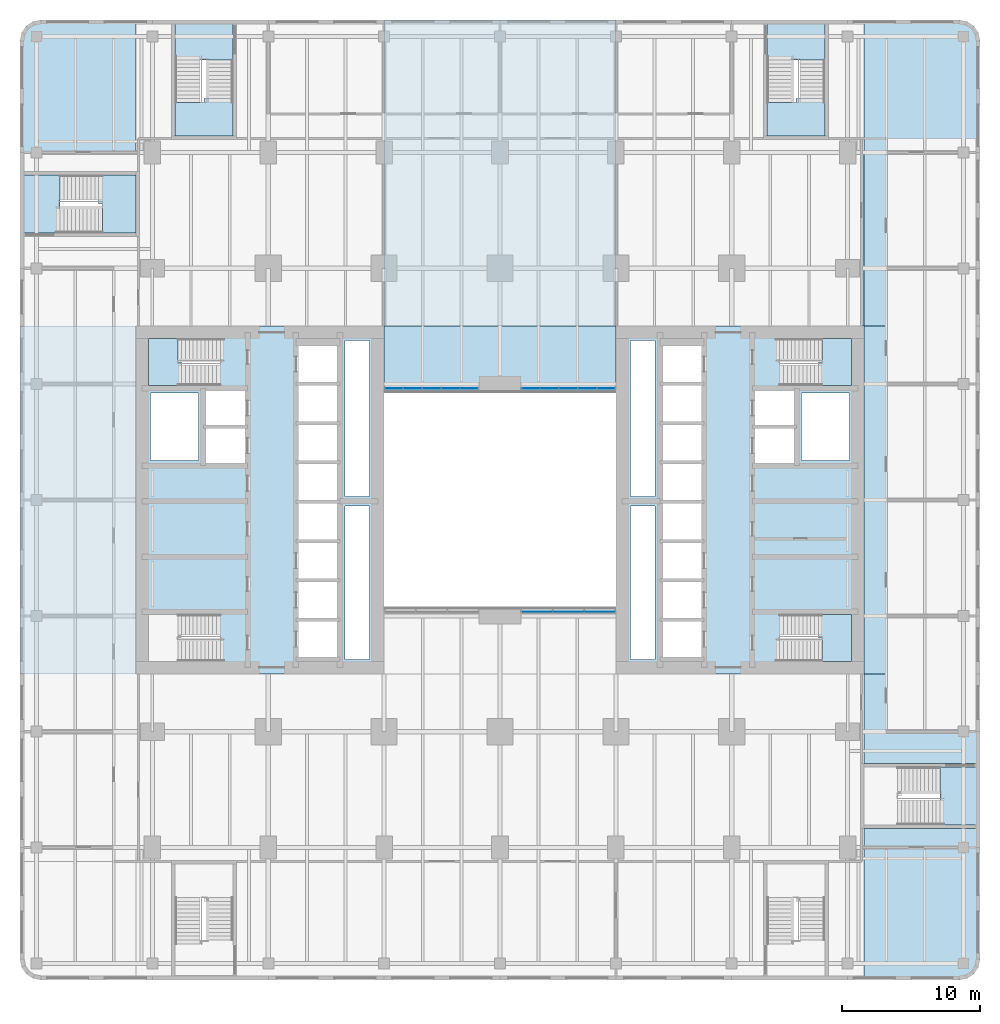
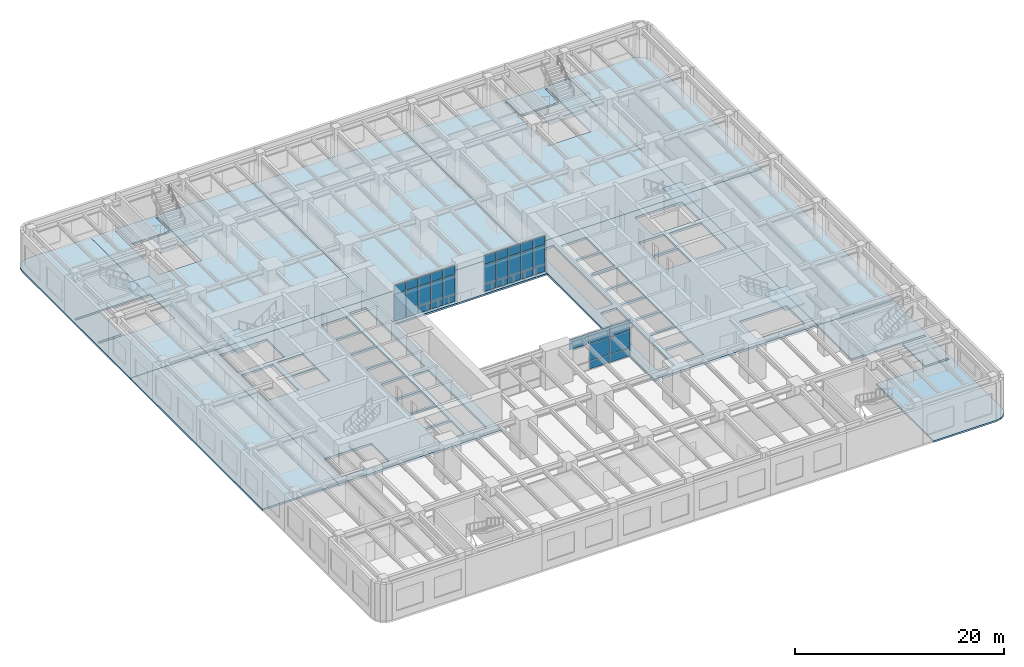
# One storey, part 8 of 26: 27 plates, 17 slabs, 9 elements without a shape of their own.
"""IFC4 building model written with IfcOpenShell, lengths in metres."""

from ifc_helpers import new_model, si_unit, direction, frame, origin, origin_2d, place, context, subcontext, project, spatial, polyline, rectangle, outline, extrude, material, layer, layer_set, type_object, element, aggregate, save


model = new_model("IFC4")

# Units and contexts
model_context = context("Model", 3, precision=1e-05, world=origin(), true_north=direction((0.0, 1.0)))
body_context = subcontext(model_context, "Body", "Model", "MODEL_VIEW")
ifc_project = project(units=[si_unit("LENGTHUNIT", "METRE"), si_unit("AREAUNIT", "SQUARE_METRE"), si_unit("VOLUMEUNIT", "CUBIC_METRE"), si_unit("PLANEANGLEUNIT", "RADIAN"), si_unit("MASSUNIT", "GRAM", prefix="KILO")], contexts=[model_context])

# Site, building, storey
site_placement = place(None, origin())
site = spatial("IfcSite", under=ifc_project, at=site_placement, CompositionType="ELEMENT")
building_placement = place(site_placement, origin())
building = spatial("IfcBuilding", under=site, at=building_placement, Name="Claustro Exchange Tower", CompositionType="ELEMENT")
storey_placement = place(building_placement, frame((0.0, 0.0, 9.89990234375)))
storey = spatial("IfcBuildingStorey", under=building, at=storey_placement, Name="L02", CompositionType="ELEMENT", Elevation=9.89990234375)

# Curtain wall, plates
ifc_material_1 = material(Name="Aluminium frame, clear double glazing", Category="aluminium")
curtain_wall_type_1 = type_object("IfcCurtainWallType", Name="CW3 light well curtain wall", PredefinedType="USERDEFINED", material=ifc_material_1)
curtain_wall_1_placement = place(storey_placement, origin())
curtain_wall_1 = element("IfcCurtainWall", 1, at=curtain_wall_1_placement, inside=storey, type_object=curtain_wall_type_1, Name="Curtain wall CW3 L02", ObjectType="STICK CURTAIN WALL", PredefinedType="USERDEFINED")
ifc_material_2 = material(Name="Clear double glazing", Category="glass")
ifc_layer_1 = layer(ifc_material_2, 0.030029296875)
ifc_layer_set_1 = layer_set([ifc_layer_1], Name="Clear double glazing")
plate_type_1 = type_object("IfcPlateType", Name="CW3-P 30 glazed panel", PredefinedType="CURTAIN_PANEL", material=ifc_layer_set_1)
plate_1_placement = place(storey_placement, frame((27.886962890625, 17.10009765625, 3.03271484375), z_axis=(0.0, 0.0, 1.0), x_axis=(1.0, 0.0, 0.0)))
plate_1 = element("IfcPlate", 2, at=plate_1_placement, type_object=plate_type_1, Name="CW3 panel 1.3", PredefinedType="CURTAIN_PANEL", context=body_context, shape_type="SweptSolid", body=[
    extrude(rectangle(XDim=2.194091796875, YDim=0.030029296875, at=origin_2d()), origin(), (0.0, 0.0, 1.0), 1.202392578125),
])
plate_2_placement = place(storey_placement, frame((30.16259765625, 17.10009765625, 0.06494140625), z_axis=(0.0, 0.0, 1.0), x_axis=(1.0, 0.0, 0.0)))
plate_2 = element("IfcPlate", 3, at=plate_2_placement, type_object=plate_type_1, Name="CW3 panel 2.1", PredefinedType="CURTAIN_PANEL", context=body_context, shape_type="SweptSolid", body=[
    extrude(rectangle(XDim=2.2265625, YDim=0.030029296875, at=origin_2d()), origin(), (0.0, 0.0, 1.0), 0.902587890625),
])
plate_3_placement = place(storey_placement, frame((30.16259765625, 17.10009765625, 1.032470703125), z_axis=(0.0, 0.0, 1.0), x_axis=(1.0, 0.0, 0.0)))
plate_3 = element("IfcPlate", 4, at=plate_3_placement, type_object=plate_type_1, Name="CW3 panel 2.2", PredefinedType="CURTAIN_PANEL", context=body_context, shape_type="SweptSolid", body=[
    extrude(rectangle(XDim=2.2265625, YDim=0.030029296875, at=origin_2d()), origin(), (0.0, 0.0, 1.0), 1.93505859375),
])
plate_4_placement = place(storey_placement, frame((30.16259765625, 17.10009765625, 3.03271484375), z_axis=(0.0, 0.0, 1.0), x_axis=(1.0, 0.0, 0.0)))
plate_4 = element("IfcPlate", 5, at=plate_4_placement, type_object=plate_type_1, Name="CW3 panel 2.3", PredefinedType="CURTAIN_PANEL", context=body_context, shape_type="SweptSolid", body=[
    extrude(rectangle(XDim=2.2265625, YDim=0.030029296875, at=origin_2d()), origin(), (0.0, 0.0, 1.0), 1.202392578125),
])
plate_5_placement = place(storey_placement, frame((32.43798828125, 17.10009765625, 0.06494140625), z_axis=(0.0, 0.0, 1.0), x_axis=(1.0, 0.0, 0.0)))
plate_5 = element("IfcPlate", 6, at=plate_5_placement, type_object=plate_type_1, Name="CW3 panel 3.1", PredefinedType="CURTAIN_PANEL", context=body_context, shape_type="SweptSolid", body=[
    extrude(rectangle(XDim=2.194091796875, YDim=0.030029296875, at=origin_2d()), origin(), (0.0, 0.0, 1.0), 0.902587890625),
])
plate_6_placement = place(storey_placement, frame((32.43798828125, 17.10009765625, 1.032470703125), z_axis=(0.0, 0.0, 1.0), x_axis=(1.0, 0.0, 0.0)))
plate_6 = element("IfcPlate", 7, at=plate_6_placement, type_object=plate_type_1, Name="CW3 panel 3.2", PredefinedType="CURTAIN_PANEL", context=body_context, shape_type="SweptSolid", body=[
    extrude(rectangle(XDim=2.194091796875, YDim=0.030029296875, at=origin_2d()), origin(), (0.0, 0.0, 1.0), 1.93505859375),
])
plate_7_placement = place(storey_placement, frame((32.43798828125, 17.10009765625, 3.03271484375), z_axis=(0.0, 0.0, 1.0), x_axis=(1.0, 0.0, 0.0)))
plate_7 = element("IfcPlate", 8, at=plate_7_placement, type_object=plate_type_1, Name="CW3 panel 3.3", PredefinedType="CURTAIN_PANEL", context=body_context, shape_type="SweptSolid", body=[
    extrude(rectangle(XDim=2.194091796875, YDim=0.030029296875, at=origin_2d()), origin(), (0.0, 0.0, 1.0), 1.202392578125),
])
aggregate(curtain_wall_1, [plate_1, plate_2, plate_3, plate_4, plate_5, plate_6, plate_7])

ifc_material_3 = material(Name="Aluminium frame, clear double glazing", Category="aluminium")
curtain_wall_type_2 = type_object("IfcCurtainWallType", Name="CW6 sky lobby and conference curtain wall", PredefinedType="USERDEFINED", material=ifc_material_3)
curtain_wall_2_placement = place(storey_placement, origin())
curtain_wall_2 = element("IfcCurtainWall", 9, at=curtain_wall_2_placement, inside=storey, type_object=curtain_wall_type_2, Name="Curtain wall CW6 L02", ObjectType="STICK CURTAIN WALL", PredefinedType="USERDEFINED")
ifc_material_4 = material(Name="Clear double glazing", Category="glass")
ifc_layer_2 = layer(ifc_material_4, 0.033935546875)
ifc_layer_set_2 = layer_set([ifc_layer_2], Name="Clear double glazing")
plate_type_2 = type_object("IfcPlateType", Name="CW6-P 34 glazed panel", PredefinedType="CURTAIN_PANEL", material=ifc_layer_set_2)
plate_8_placement = place(storey_placement, frame((17.5048828125, 33.300048828125, 0.0703125), z_axis=(0.0, 0.0, 1.0), x_axis=(1.0, 0.0, 0.0)))
plate_8 = element("IfcPlate", 10, at=plate_8_placement, type_object=plate_type_2, Name="CW6 panel 1.1", PredefinedType="CURTAIN_PANEL", context=body_context, shape_type="SweptSolid", body=[
    extrude(rectangle(XDim=1.27001953125, YDim=0.033935546875, at=origin_2d()), origin(), (0.0, 0.0, 1.0), 3.094970703125),
])
plate_9_placement = place(storey_placement, frame((17.5048828125, 33.300048828125, 3.235107421875), z_axis=(0.0, 0.0, 1.0), x_axis=(1.0, 0.0, 0.0)))
plate_9 = element("IfcPlate", 11, at=plate_9_placement, type_object=plate_type_2, Name="CW6 panel 1.2", PredefinedType="CURTAIN_PANEL", context=body_context, shape_type="SweptSolid", body=[
    extrude(rectangle(XDim=1.27001953125, YDim=0.033935546875, at=origin_2d()), origin(), (0.0, 0.0, 1.0), 0.9951171875),
])
plate_10_placement = place(storey_placement, frame((18.862548828125, 33.300048828125, 0.0703125), z_axis=(0.0, 0.0, 1.0), x_axis=(1.0, 0.0, 0.0)))
plate_10 = element("IfcPlate", 12, at=plate_10_placement, type_object=plate_type_2, Name="CW6 panel 2.1", PredefinedType="CURTAIN_PANEL", context=body_context, shape_type="SweptSolid", body=[
    extrude(rectangle(XDim=1.304931640625, YDim=0.033935546875, at=origin_2d()), origin(), (0.0, 0.0, 1.0), 3.094970703125),
])
plate_11_placement = place(storey_placement, frame((18.862548828125, 33.300048828125, 3.235107421875), z_axis=(0.0, 0.0, 1.0), x_axis=(1.0, 0.0, 0.0)))
plate_11 = element("IfcPlate", 13, at=plate_11_placement, type_object=plate_type_2, Name="CW6 panel 2.2", PredefinedType="CURTAIN_PANEL", context=body_context, shape_type="SweptSolid", body=[
    extrude(rectangle(XDim=1.304931640625, YDim=0.033935546875, at=origin_2d()), origin(), (0.0, 0.0, 1.0), 0.9951171875),
])
plate_12_placement = place(storey_placement, frame((20.237548828125, 33.300048828125, 0.0703125), z_axis=(0.0, 0.0, 1.0), x_axis=(1.0, 0.0, 0.0)))
plate_12 = element("IfcPlate", 14, at=plate_12_placement, type_object=plate_type_2, Name="CW6 panel 3.1", PredefinedType="CURTAIN_PANEL", context=body_context, shape_type="SweptSolid", body=[
    extrude(rectangle(XDim=1.304931640625, YDim=0.033935546875, at=origin_2d()), origin(), (0.0, 0.0, 1.0), 3.094970703125),
])
plate_13_placement = place(storey_placement, frame((20.237548828125, 33.300048828125, 3.235107421875), z_axis=(0.0, 0.0, 1.0), x_axis=(1.0, 0.0, 0.0)))
plate_13 = element("IfcPlate", 15, at=plate_13_placement, type_object=plate_type_2, Name="CW6 panel 3.2", PredefinedType="CURTAIN_PANEL", context=body_context, shape_type="SweptSolid", body=[
    extrude(rectangle(XDim=1.304931640625, YDim=0.033935546875, at=origin_2d()), origin(), (0.0, 0.0, 1.0), 0.9951171875),
])
plate_14_placement = place(storey_placement, frame((21.612548828125, 33.300048828125, 0.0703125), z_axis=(0.0, 0.0, 1.0), x_axis=(1.0, 0.0, 0.0)))
plate_14 = element("IfcPlate", 16, at=plate_14_placement, type_object=plate_type_2, Name="CW6 panel 4.1", PredefinedType="CURTAIN_PANEL", context=body_context, shape_type="SweptSolid", body=[
    extrude(rectangle(XDim=1.304931640625, YDim=0.033935546875, at=origin_2d()), origin(), (0.0, 0.0, 1.0), 3.094970703125),
])
plate_15_placement = place(storey_placement, frame((21.612548828125, 33.300048828125, 3.235107421875), z_axis=(0.0, 0.0, 1.0), x_axis=(1.0, 0.0, 0.0)))
plate_15 = element("IfcPlate", 17, at=plate_15_placement, type_object=plate_type_2, Name="CW6 panel 4.2", PredefinedType="CURTAIN_PANEL", context=body_context, shape_type="SweptSolid", body=[
    extrude(rectangle(XDim=1.304931640625, YDim=0.033935546875, at=origin_2d()), origin(), (0.0, 0.0, 1.0), 0.9951171875),
])
plate_16_placement = place(storey_placement, frame((22.969970703125, 33.300048828125, 0.0703125), z_axis=(0.0, 0.0, 1.0), x_axis=(1.0, 0.0, 0.0)))
plate_16 = element("IfcPlate", 18, at=plate_16_placement, type_object=plate_type_2, Name="CW6 panel 5.1", PredefinedType="CURTAIN_PANEL", context=body_context, shape_type="SweptSolid", body=[
    extrude(rectangle(XDim=1.27001953125, YDim=0.033935546875, at=origin_2d()), origin(), (0.0, 0.0, 1.0), 3.094970703125),
])
plate_17_placement = place(storey_placement, frame((22.969970703125, 33.300048828125, 3.235107421875), z_axis=(0.0, 0.0, 1.0), x_axis=(1.0, 0.0, 0.0)))
plate_17 = element("IfcPlate", 19, at=plate_17_placement, type_object=plate_type_2, Name="CW6 panel 5.2", PredefinedType="CURTAIN_PANEL", context=body_context, shape_type="SweptSolid", body=[
    extrude(rectangle(XDim=1.27001953125, YDim=0.033935546875, at=origin_2d()), origin(), (0.0, 0.0, 1.0), 0.9951171875),
])
aggregate(curtain_wall_2, [plate_8, plate_9, plate_10, plate_11, plate_12, plate_13, plate_14, plate_15, plate_16, plate_17])

curtain_wall_3_placement = place(storey_placement, origin())
curtain_wall_3 = element("IfcCurtainWall", 20, at=curtain_wall_3_placement, inside=storey, type_object=curtain_wall_type_2, Name="Curtain wall CW6 L02", ObjectType="STICK CURTAIN WALL", PredefinedType="USERDEFINED")
plate_18_placement = place(storey_placement, frame((27.429931640625, 33.300048828125, 0.0703125), z_axis=(0.0, 0.0, 1.0), x_axis=(1.0, 0.0, 0.0)))
plate_18 = element("IfcPlate", 21, at=plate_18_placement, type_object=plate_type_2, Name="CW6 panel 1.1", PredefinedType="CURTAIN_PANEL", context=body_context, shape_type="SweptSolid", body=[
    extrude(rectangle(XDim=1.27001953125, YDim=0.033935546875, at=origin_2d()), origin(), (0.0, 0.0, 1.0), 3.094970703125),
])
plate_19_placement = place(storey_placement, frame((27.429931640625, 33.300048828125, 3.235107421875), z_axis=(0.0, 0.0, 1.0), x_axis=(1.0, 0.0, 0.0)))
plate_19 = element("IfcPlate", 22, at=plate_19_placement, type_object=plate_type_2, Name="CW6 panel 1.2", PredefinedType="CURTAIN_PANEL", context=body_context, shape_type="SweptSolid", body=[
    extrude(rectangle(XDim=1.27001953125, YDim=0.033935546875, at=origin_2d()), origin(), (0.0, 0.0, 1.0), 0.9951171875),
])
plate_20_placement = place(storey_placement, frame((28.78759765625, 33.300048828125, 0.0703125), z_axis=(0.0, 0.0, 1.0), x_axis=(1.0, 0.0, 0.0)))
plate_20 = element("IfcPlate", 23, at=plate_20_placement, type_object=plate_type_2, Name="CW6 panel 2.1", PredefinedType="CURTAIN_PANEL", context=body_context, shape_type="SweptSolid", body=[
    extrude(rectangle(XDim=1.304931640625, YDim=0.033935546875, at=origin_2d()), origin(), (0.0, 0.0, 1.0), 3.094970703125),
])
plate_21_placement = place(storey_placement, frame((28.78759765625, 33.300048828125, 3.235107421875), z_axis=(0.0, 0.0, 1.0), x_axis=(1.0, 0.0, 0.0)))
plate_21 = element("IfcPlate", 24, at=plate_21_placement, type_object=plate_type_2, Name="CW6 panel 2.2", PredefinedType="CURTAIN_PANEL", context=body_context, shape_type="SweptSolid", body=[
    extrude(rectangle(XDim=1.304931640625, YDim=0.033935546875, at=origin_2d()), origin(), (0.0, 0.0, 1.0), 0.9951171875),
])
plate_22_placement = place(storey_placement, frame((30.16259765625, 33.300048828125, 0.0703125), z_axis=(0.0, 0.0, 1.0), x_axis=(1.0, 0.0, 0.0)))
plate_22 = element("IfcPlate", 25, at=plate_22_placement, type_object=plate_type_2, Name="CW6 panel 3.1", PredefinedType="CURTAIN_PANEL", context=body_context, shape_type="SweptSolid", body=[
    extrude(rectangle(XDim=1.304931640625, YDim=0.033935546875, at=origin_2d()), origin(), (0.0, 0.0, 1.0), 3.094970703125),
])
plate_23_placement = place(storey_placement, frame((30.16259765625, 33.300048828125, 3.235107421875), z_axis=(0.0, 0.0, 1.0), x_axis=(1.0, 0.0, 0.0)))
plate_23 = element("IfcPlate", 26, at=plate_23_placement, type_object=plate_type_2, Name="CW6 panel 3.2", PredefinedType="CURTAIN_PANEL", context=body_context, shape_type="SweptSolid", body=[
    extrude(rectangle(XDim=1.304931640625, YDim=0.033935546875, at=origin_2d()), origin(), (0.0, 0.0, 1.0), 0.9951171875),
])
plate_24_placement = place(storey_placement, frame((31.53759765625, 33.300048828125, 0.0703125), z_axis=(0.0, 0.0, 1.0), x_axis=(1.0, 0.0, 0.0)))
plate_24 = element("IfcPlate", 27, at=plate_24_placement, type_object=plate_type_2, Name="CW6 panel 4.1", PredefinedType="CURTAIN_PANEL", context=body_context, shape_type="SweptSolid", body=[
    extrude(rectangle(XDim=1.304931640625, YDim=0.033935546875, at=origin_2d()), origin(), (0.0, 0.0, 1.0), 3.094970703125),
])
plate_25_placement = place(storey_placement, frame((31.53759765625, 33.300048828125, 3.235107421875), z_axis=(0.0, 0.0, 1.0), x_axis=(1.0, 0.0, 0.0)))
plate_25 = element("IfcPlate", 28, at=plate_25_placement, type_object=plate_type_2, Name="CW6 panel 4.2", PredefinedType="CURTAIN_PANEL", context=body_context, shape_type="SweptSolid", body=[
    extrude(rectangle(XDim=1.304931640625, YDim=0.033935546875, at=origin_2d()), origin(), (0.0, 0.0, 1.0), 0.9951171875),
])
plate_26_placement = place(storey_placement, frame((32.89501953125, 33.300048828125, 0.0703125), z_axis=(0.0, 0.0, 1.0), x_axis=(1.0, 0.0, 0.0)))
plate_26 = element("IfcPlate", 29, at=plate_26_placement, type_object=plate_type_2, Name="CW6 panel 5.1", PredefinedType="CURTAIN_PANEL", context=body_context, shape_type="SweptSolid", body=[
    extrude(rectangle(XDim=1.27001953125, YDim=0.033935546875, at=origin_2d()), origin(), (0.0, 0.0, 1.0), 3.094970703125),
])
plate_27_placement = place(storey_placement, frame((32.89501953125, 33.300048828125, 3.235107421875), z_axis=(0.0, 0.0, 1.0), x_axis=(1.0, 0.0, 0.0)))
plate_27 = element("IfcPlate", 30, at=plate_27_placement, type_object=plate_type_2, Name="CW6 panel 5.2", PredefinedType="CURTAIN_PANEL", context=body_context, shape_type="SweptSolid", body=[
    extrude(rectangle(XDim=1.27001953125, YDim=0.033935546875, at=origin_2d()), origin(), (0.0, 0.0, 1.0), 0.9951171875),
])
aggregate(curtain_wall_3, [plate_18, plate_19, plate_20, plate_21, plate_22, plate_23, plate_24, plate_25, plate_26, plate_27])

# Slabs
ifc_material_5 = material(Name="Concrete HA-50 (C50/60)", Category="concrete")
ifc_layer_3 = layer(ifc_material_5, 0.199951171875)
ifc_layer_set_3 = layer_set([ifc_layer_3], Name="Concrete HA-50 (C50/60)")
slab_type_1 = type_object("IfcSlabType", Name="S3 200 plant floor slab", PredefinedType="FLOOR", material=ifc_layer_set_3)
slab_1_placement = place(storey_placement, frame((0.0, 0.0, -0.199951171875)))
element("IfcSlab", 31, at=slab_1_placement, inside=storey, type_object=slab_type_1, Name="Floor slab S3 S L02", PredefinedType="FLOOR", context=body_context, shape_type="SweptSolid", body=[
    extrude(outline(polyline([(60.0, -8.10009765625), (60.0, 12.60009765625), (51.60009765625, 12.60009765625), (51.60009765625, 6.10009765625), (59.679931640625, 6.10009765625), (59.679931640625, 5.85009765625), (57.094970703125, 5.85009765625), (57.094970703125, 3.75), (57.10009765625, 3.75), (57.10009765625, 1.64990234375), (59.679931640625, 1.64990234375), (59.679931640625, 1.39990234375), (51.60009765625, 1.39990234375), (51.60009765625, -9.60009765625), (58.5, -9.60009765625), (59.073974609375, -9.48583984375), (59.560791015625, -9.16064453125), (59.8857421875, -8.674072265625), (60.0, -8.10009765625)])), origin(), (0.0, 0.0, 1.0), 0.199951171875),
])
slab_2_placement = place(storey_placement, frame((0.0, 0.0, -0.199951171875)))
element("IfcSlab", 32, at=slab_2_placement, inside=storey, type_object=slab_type_1, Name="Floor slab S3 W L02", PredefinedType="FLOOR", context=body_context, shape_type="SweptSolid", body=[
    extrude(outline(polyline([(-9.60009765625, 37.800048828125), (-9.60009765625, 12.60009765625), (-1.199951171875, 12.60009765625), (-1.199951171875, 37.800048828125), (-9.60009765625, 37.800048828125)])), origin(), (0.0, 0.0, 1.0), 0.199951171875),
])
slab_3_placement = place(storey_placement, frame((0.0, 0.0, -0.199951171875)))
element("IfcSlab", 33, at=slab_3_placement, inside=storey, type_object=slab_type_1, Name="Floor slab S3 E L02", PredefinedType="FLOOR", context=body_context, shape_type="SweptSolid", body=[
    extrude(outline(polyline([(60.0, 12.60009765625), (60.0, 37.800048828125), (51.60009765625, 37.800048828125), (51.60009765625, 12.60009765625), (60.0, 12.60009765625)])), origin(), (0.0, 0.0, 1.0), 0.199951171875),
])
slab_4_placement = place(storey_placement, frame((0.0, 0.0, -0.199951171875)))
element("IfcSlab", 34, at=slab_4_placement, inside=storey, type_object=slab_type_1, Name="Floor slab S3 E L02", PredefinedType="FLOOR", context=body_context, shape_type="SweptSolid", body=[
    extrude(outline(polyline([(33.60009765625, 33.0), (33.60009765625, 37.800048828125), (16.800048828125, 37.800048828125), (16.800048828125, 33.0), (33.60009765625, 33.0)])), origin(), (0.0, 0.0, 1.0), 0.199951171875),
])
slab_5_placement = place(storey_placement, frame((0.0, 0.0, -0.199951171875)))
element("IfcSlab", 35, at=slab_5_placement, inside=storey, type_object=slab_type_1, Name="Floor slab S3 N L02", PredefinedType="FLOOR", context=body_context, shape_type="SweptSolid", body=[
    extrude(outline(polyline([(51.60009765625, 60.0), (33.60009765625, 60.0), (33.60009765625, 37.800048828125), (51.60009765625, 37.800048828125), (51.60009765625, 60.0)]), holes=[polyline([(48.75, 59.679931640625), (49.0, 59.679931640625), (49.0, 51.60009765625), (49.0, 51.35009765625), (44.300048828125, 51.35009765625), (44.300048828125, 51.60009765625), (44.300048828125, 59.679931640625), (44.550048828125, 59.679931640625), (44.550048828125, 57.10009765625), (46.64990234375, 57.10009765625), (46.64990234375, 57.094970703125), (48.75, 57.094970703125), (48.75, 59.679931640625)])]), origin(), (0.0, 0.0, 1.0), 0.199951171875),
])
slab_6_placement = place(storey_placement, frame((0.0, 0.0, -0.199951171875)))
element("IfcSlab", 36, at=slab_6_placement, inside=storey, type_object=slab_type_1, Name="Floor slab S3 N L02", PredefinedType="FLOOR", context=body_context, shape_type="SweptSolid", body=[
    extrude(outline(polyline([(16.800048828125, 60.0), (-1.199951171875, 60.0), (-1.199951171875, 49.0), (-0.949951171875, 49.0), (-0.949951171875, 44.300048828125), (-1.199951171875, 44.300048828125), (-1.199951171875, 37.800048828125), (16.800048828125, 37.800048828125), (16.800048828125, 60.0)]), holes=[polyline([(5.85009765625, 59.679931640625), (6.10009765625, 59.679931640625), (6.10009765625, 51.60009765625), (6.10009765625, 51.35009765625), (1.39990234375, 51.35009765625), (1.39990234375, 51.60009765625), (1.39990234375, 59.679931640625), (1.64990234375, 59.679931640625), (1.64990234375, 57.10009765625), (3.75, 57.10009765625), (3.75, 57.094970703125), (5.85009765625, 57.094970703125), (5.85009765625, 59.679931640625)])]), origin(), (0.0, 0.0, 1.0), 0.199951171875),
])
slab_7_placement = place(storey_placement, frame((0.0, 0.0, -0.199951171875)))
element("IfcSlab", 37, at=slab_7_placement, inside=storey, type_object=slab_type_1, Name="Floor slab S3 N L02", PredefinedType="FLOOR", context=body_context, shape_type="SweptSolid", body=[
    extrude(outline(polyline([(58.5, 60.0), (51.60009765625, 60.0), (51.60009765625, 37.800048828125), (60.0, 37.800048828125), (60.0, 58.5), (59.8857421875, 59.073974609375), (59.560791015625, 59.560791015625), (59.073974609375, 59.8857421875), (58.5, 60.0)])), origin(), (0.0, 0.0, 1.0), 0.199951171875),
])
slab_8_placement = place(storey_placement, frame((0.0, 0.0, -0.199951171875)))
element("IfcSlab", 38, at=slab_8_placement, inside=storey, type_object=slab_type_1, Name="Floor slab S3 N L02", PredefinedType="FLOOR", context=body_context, shape_type="SweptSolid", body=[
    extrude(outline(polyline([(33.60009765625, 60.0), (16.800048828125, 60.0), (16.800048828125, 37.800048828125), (33.60009765625, 37.800048828125), (33.60009765625, 60.0)])), origin(), (0.0, 0.0, 1.0), 0.199951171875),
])
slab_9_placement = place(storey_placement, frame((0.0, 0.0, -0.199951171875)))
element("IfcSlab", 39, at=slab_9_placement, inside=storey, type_object=slab_type_1, Name="Floor slab S3 N L02", PredefinedType="FLOOR", context=body_context, shape_type="SweptSolid", body=[
    extrude(outline(polyline([(-8.674072265625, 59.8857421875), (-9.16064453125, 59.560791015625), (-9.48583984375, 59.073974609375), (-9.60009765625, 58.5), (-9.60009765625, 37.800048828125), (-1.199951171875, 37.800048828125), (-1.199951171875, 44.300048828125), (-9.280029296875, 44.300048828125), (-9.280029296875, 44.550048828125), (-6.699951171875, 44.550048828125), (-6.699951171875, 46.64990234375), (-6.695068359375, 46.64990234375), (-6.695068359375, 48.75), (-9.280029296875, 48.75), (-9.280029296875, 49.0), (-1.199951171875, 49.0), (-1.199951171875, 60.0), (-8.10009765625, 60.0), (-8.674072265625, 59.8857421875)])), origin(), (0.0, 0.0, 1.0), 0.199951171875),
])
ifc_material_6 = material(Name="Concrete HA-50 (C50/60)", Category="concrete")
ifc_layer_4 = layer(ifc_material_6, 0.25)
ifc_layer_set_4 = layer_set([ifc_layer_4], Name="Concrete HA-50 (C50/60)")
slab_type_2 = type_object("IfcSlabType", Name="S7 250 core floor slab", PredefinedType="FLOOR", material=ifc_layer_set_4)
slab_10_placement = place(storey_placement, frame((0.0, 0.0, -0.25)))
element("IfcSlab", 40, at=slab_10_placement, inside=storey, type_object=slab_type_2, Name="Core floor slab S7 W core L02", PredefinedType="FLOOR", context=body_context, shape_type="SweptSolid", body=[
    extrude(outline(polyline([(-1.199951171875, 12.60009765625), (16.800048828125, 12.60009765625), (16.800048828125, 37.800048828125), (-1.199951171875, 37.800048828125), (-1.199951171875, 12.60009765625)]), holes=[polyline([(15.75, 24.75), (15.75, 13.64990234375), (13.949951171875, 13.64990234375), (13.949951171875, 24.75), (15.75, 24.75)]), polyline([(15.75, 36.75), (15.75, 25.449951171875), (13.949951171875, 25.449951171875), (13.949951171875, 36.75), (15.75, 36.75)]), polyline([(10.60009765625, 16.39990234375), (13.39990234375, 16.39990234375), (13.39990234375, 13.800048828125), (10.60009765625, 13.800048828125), (10.60009765625, 16.39990234375)]), polyline([(13.39990234375, 19.25), (13.39990234375, 16.64990234375), (10.60009765625, 16.64990234375), (10.60009765625, 19.25), (13.39990234375, 19.25)]), polyline([(13.39990234375, 22.10009765625), (13.39990234375, 19.5), (10.60009765625, 19.5), (10.60009765625, 22.10009765625), (13.39990234375, 22.10009765625)]), polyline([(13.39990234375, 24.949951171875), (13.39990234375, 22.35009765625), (10.60009765625, 22.35009765625), (10.60009765625, 24.949951171875), (13.39990234375, 24.949951171875)]), polyline([(13.39990234375, 27.800048828125), (13.39990234375, 25.199951171875), (10.60009765625, 25.199951171875), (10.60009765625, 27.800048828125), (13.39990234375, 27.800048828125)]), polyline([(13.39990234375, 30.64990234375), (13.39990234375, 28.050048828125), (10.60009765625, 28.050048828125), (10.60009765625, 30.64990234375), (13.39990234375, 30.64990234375)]), polyline([(13.39990234375, 33.5), (13.39990234375, 30.89990234375), (10.60009765625, 30.89990234375), (10.60009765625, 33.5), (13.39990234375, 33.5)]), polyline([(13.39990234375, 36.35009765625), (13.39990234375, 33.75), (10.60009765625, 33.75), (10.60009765625, 36.35009765625), (13.39990234375, 36.35009765625)]), polyline([(6.699951171875, 30.375), (6.699951171875, 27.89990234375), (3.89990234375, 27.89990234375), (3.89990234375, 30.375), (6.699951171875, 30.375)]), polyline([(6.699951171875, 33.10009765625), (6.699951171875, 30.625), (3.89990234375, 30.625), (3.89990234375, 33.10009765625), (6.699951171875, 33.10009765625)]), polyline([(-0.300048828125, 15.199951171875), (-0.300048828125, 16.89990234375), (4.9150390625, 16.89990234375), (4.9150390625, 15.199951171875), (4.919921875, 15.199951171875), (4.919921875, 13.5), (-0.300048828125, 13.5), (-0.300048828125, 15.199951171875)]), polyline([(-0.300048828125, 36.89990234375), (4.919921875, 36.89990234375), (4.919921875, 35.199951171875), (4.9150390625, 35.199951171875), (4.9150390625, 33.5), (-0.300048828125, 33.5), (-0.300048828125, 35.199951171875), (-0.300048828125, 36.89990234375)]), polyline([(3.35009765625, 32.949951171875), (3.35009765625, 28.050048828125), (-0.14990234375, 28.050048828125), (-0.14990234375, 32.949951171875), (3.35009765625, 32.949951171875)])]), origin(), (0.0, 0.0, 1.0), 0.25),
])
slab_11_placement = place(storey_placement, frame((0.0, 0.0, -0.25)))
element("IfcSlab", 41, at=slab_11_placement, inside=storey, type_object=slab_type_2, Name="Core floor slab S7 E core L02", PredefinedType="FLOOR", context=body_context, shape_type="SweptSolid", body=[
    extrude(outline(polyline([(33.60009765625, 12.60009765625), (51.60009765625, 12.60009765625), (51.60009765625, 37.800048828125), (33.60009765625, 37.800048828125), (33.60009765625, 12.60009765625)]), holes=[polyline([(45.47998046875, 35.199951171875), (45.47998046875, 36.89990234375), (50.699951171875, 36.89990234375), (50.699951171875, 35.199951171875), (50.699951171875, 33.5), (45.485107421875, 33.5), (45.485107421875, 35.199951171875), (45.47998046875, 35.199951171875)]), polyline([(45.485107421875, 15.199951171875), (45.485107421875, 16.89990234375), (50.699951171875, 16.89990234375), (50.699951171875, 15.199951171875), (50.699951171875, 13.5), (45.47998046875, 13.5), (45.47998046875, 15.199951171875), (45.485107421875, 15.199951171875)]), polyline([(50.550048828125, 32.949951171875), (50.550048828125, 28.050048828125), (47.050048828125, 28.050048828125), (47.050048828125, 32.949951171875), (50.550048828125, 32.949951171875)]), polyline([(46.5, 30.375), (46.5, 27.89990234375), (43.699951171875, 27.89990234375), (43.699951171875, 30.375), (46.5, 30.375)]), polyline([(46.5, 33.10009765625), (46.5, 30.625), (43.699951171875, 30.625), (43.699951171875, 33.10009765625), (46.5, 33.10009765625)]), polyline([(37.0, 16.39990234375), (39.800048828125, 16.39990234375), (39.800048828125, 13.800048828125), (37.0, 13.800048828125), (37.0, 16.39990234375)]), polyline([(39.800048828125, 19.25), (39.800048828125, 16.64990234375), (37.0, 16.64990234375), (37.0, 19.25), (39.800048828125, 19.25)]), polyline([(39.800048828125, 22.10009765625), (39.800048828125, 19.5), (37.0, 19.5), (37.0, 22.10009765625), (39.800048828125, 22.10009765625)]), polyline([(39.800048828125, 24.949951171875), (39.800048828125, 22.35009765625), (37.0, 22.35009765625), (37.0, 24.949951171875), (39.800048828125, 24.949951171875)]), polyline([(39.800048828125, 27.800048828125), (39.800048828125, 25.199951171875), (37.0, 25.199951171875), (37.0, 27.800048828125), (39.800048828125, 27.800048828125)]), polyline([(39.800048828125, 30.64990234375), (39.800048828125, 28.050048828125), (37.0, 28.050048828125), (37.0, 30.64990234375), (39.800048828125, 30.64990234375)]), polyline([(39.800048828125, 33.5), (39.800048828125, 30.89990234375), (37.0, 30.89990234375), (37.0, 33.5), (39.800048828125, 33.5)]), polyline([(39.800048828125, 36.35009765625), (39.800048828125, 33.75), (37.0, 33.75), (37.0, 36.35009765625), (39.800048828125, 36.35009765625)]), polyline([(36.449951171875, 24.75), (36.449951171875, 13.64990234375), (34.64990234375, 13.64990234375), (34.64990234375, 24.75), (36.449951171875, 24.75)]), polyline([(36.449951171875, 36.75), (36.449951171875, 25.449951171875), (34.64990234375, 25.449951171875), (34.64990234375, 36.75), (36.449951171875, 36.75)])]), origin(), (0.0, 0.0, 1.0), 0.25),
])

# Stair, slab
ifc_material_7 = material(Name="Concrete HA-30 (C30/37), precast", Category="concrete")
stair_type_1 = type_object("IfcStairType", Name="ST2 half-turn stair, 25 risers of 180", PredefinedType="HALF_TURN_STAIR", material=ifc_material_7)
stair_1_placement = place(storey_placement, origin())
stair_1 = element("IfcStair", 42, at=stair_1_placement, inside=storey, type_object=stair_type_1, Name="Stair STWB L02", PredefinedType="HALF_TURN_STAIR")
ifc_material_8 = material(Name="Concrete HA-30 (C30/37), precast", Category="concrete")
ifc_layer_5 = layer(ifc_material_8, 0.199951171875)
ifc_layer_set_5 = layer_set([ifc_layer_5], Name="Concrete HA-30 (C30/37), precast")
slab_type_3 = type_object("IfcSlabType", Name="S9 200 stair landing", PredefinedType="LANDING", material=ifc_layer_set_5)
slab_12_placement = place(storey_placement, frame((0.0, 0.0, 2.14013671875)))
slab_12 = element("IfcSlab", 43, at=slab_12_placement, type_object=slab_type_3, Name="STWB landing 1", PredefinedType="LANDING", context=body_context, shape_type="SweptSolid", body=[
    extrude(outline(polyline([(2.1201171875, 35.199951171875), (2.1201171875, 33.5), (1.844970703125, 33.5), (1.840087890625, 33.5), (-0.300048828125, 33.5), (-0.300048828125, 36.89990234375), (1.844970703125, 36.89990234375), (1.844970703125, 35.199951171875), (2.1201171875, 35.199951171875)])), origin(), (0.0, 0.0, 1.0), 0.199951171875),
])
aggregate(stair_1, [slab_12])

stair_2_placement = place(storey_placement, origin())
stair_2 = element("IfcStair", 44, at=stair_2_placement, inside=storey, type_object=stair_type_1, Name="Stair STEA L02", PredefinedType="HALF_TURN_STAIR")
slab_13_placement = place(storey_placement, frame((0.0, 0.0, 2.14013671875)))
slab_13 = element("IfcSlab", 45, at=slab_13_placement, type_object=slab_type_3, Name="STEA landing 1", PredefinedType="LANDING", context=body_context, shape_type="SweptSolid", body=[
    extrude(outline(polyline([(50.699951171875, 16.89990234375), (50.699951171875, 13.5), (48.554931640625, 13.5), (48.554931640625, 15.199951171875), (48.280029296875, 15.199951171875), (48.280029296875, 16.89990234375), (48.554931640625, 16.89990234375), (48.56005859375, 16.89990234375), (50.699951171875, 16.89990234375)])), origin(), (0.0, 0.0, 1.0), 0.199951171875),
])
aggregate(stair_2, [slab_13])

stair_3_placement = place(storey_placement, origin())
stair_3 = element("IfcStair", 46, at=stair_3_placement, inside=storey, type_object=stair_type_1, Name="Stair STEB L02", PredefinedType="HALF_TURN_STAIR")
slab_14_placement = place(storey_placement, frame((0.0, 0.0, 2.14013671875)))
slab_14 = element("IfcSlab", 47, at=slab_14_placement, type_object=slab_type_3, Name="STEB landing 1", PredefinedType="LANDING", context=body_context, shape_type="SweptSolid", body=[
    extrude(outline(polyline([(48.280029296875, 33.5), (48.280029296875, 35.199951171875), (48.554931640625, 35.199951171875), (48.554931640625, 36.89990234375), (50.699951171875, 36.89990234375), (50.699951171875, 33.5), (48.56005859375, 33.5), (48.554931640625, 33.5), (48.280029296875, 33.5)])), origin(), (0.0, 0.0, 1.0), 0.199951171875),
])
aggregate(stair_3, [slab_14])

ifc_material_9 = material(Name="Concrete HA-30 (C30/37), precast", Category="concrete")
stair_type_2 = type_object("IfcStairType", Name="ST5 half-turn podium escape stair, 25 risers of 180, 1800 flights", PredefinedType="HALF_TURN_STAIR", material=ifc_material_9)
stair_4_placement = place(storey_placement, origin())
stair_4 = element("IfcStair", 48, at=stair_4_placement, inside=storey, type_object=stair_type_2, Name="Stair STP3 L02", PredefinedType="HALF_TURN_STAIR")
slab_15_placement = place(storey_placement, frame((0.0, 0.0, 2.14013671875)))
slab_15 = element("IfcSlab", 49, at=slab_15_placement, type_object=slab_type_3, Name="STP3 landing 1", PredefinedType="LANDING", context=body_context, shape_type="SweptSolid", body=[
    extrude(outline(polyline([(5.85009765625, 51.60009765625), (1.64990234375, 51.60009765625), (1.64990234375, 54.02490234375), (3.75, 54.02490234375), (3.75, 54.300048828125), (5.85009765625, 54.300048828125), (5.85009765625, 54.02490234375), (5.85009765625, 54.02001953125), (5.85009765625, 51.60009765625)])), origin(), (0.0, 0.0, 1.0), 0.199951171875),
])
aggregate(stair_4, [slab_15])

stair_5_placement = place(storey_placement, origin())
stair_5 = element("IfcStair", 50, at=stair_5_placement, inside=storey, type_object=stair_type_2, Name="Stair STP4 L02", PredefinedType="HALF_TURN_STAIR")
slab_16_placement = place(storey_placement, frame((0.0, 0.0, 2.14013671875)))
slab_16 = element("IfcSlab", 51, at=slab_16_placement, type_object=slab_type_3, Name="STP4 landing 1", PredefinedType="LANDING", context=body_context, shape_type="SweptSolid", body=[
    extrude(outline(polyline([(48.75, 51.60009765625), (44.550048828125, 51.60009765625), (44.550048828125, 54.02490234375), (46.64990234375, 54.02490234375), (46.64990234375, 54.300048828125), (48.75, 54.300048828125), (48.75, 54.02490234375), (48.75, 54.02001953125), (48.75, 51.60009765625)])), origin(), (0.0, 0.0, 1.0), 0.199951171875),
])
aggregate(stair_5, [slab_16])

stair_6_placement = place(storey_placement, origin())
stair_6 = element("IfcStair", 52, at=stair_6_placement, inside=storey, type_object=stair_type_2, Name="Stair STP5 L02", PredefinedType="HALF_TURN_STAIR")
slab_17_placement = place(storey_placement, frame((0.0, 0.0, 2.14013671875)))
slab_17 = element("IfcSlab", 53, at=slab_17_placement, type_object=slab_type_3, Name="STP5 landing 1", PredefinedType="LANDING", context=body_context, shape_type="SweptSolid", body=[
    extrude(outline(polyline([(-1.199951171875, 48.75), (-1.199951171875, 44.550048828125), (-3.625, 44.550048828125), (-3.625, 46.64990234375), (-3.89990234375, 46.64990234375), (-3.89990234375, 48.75), (-3.625, 48.75), (-3.6201171875, 48.75), (-1.199951171875, 48.75)])), origin(), (0.0, 0.0, 1.0), 0.199951171875),
])
aggregate(stair_6, [slab_17])

save(model, "model.ifc")
